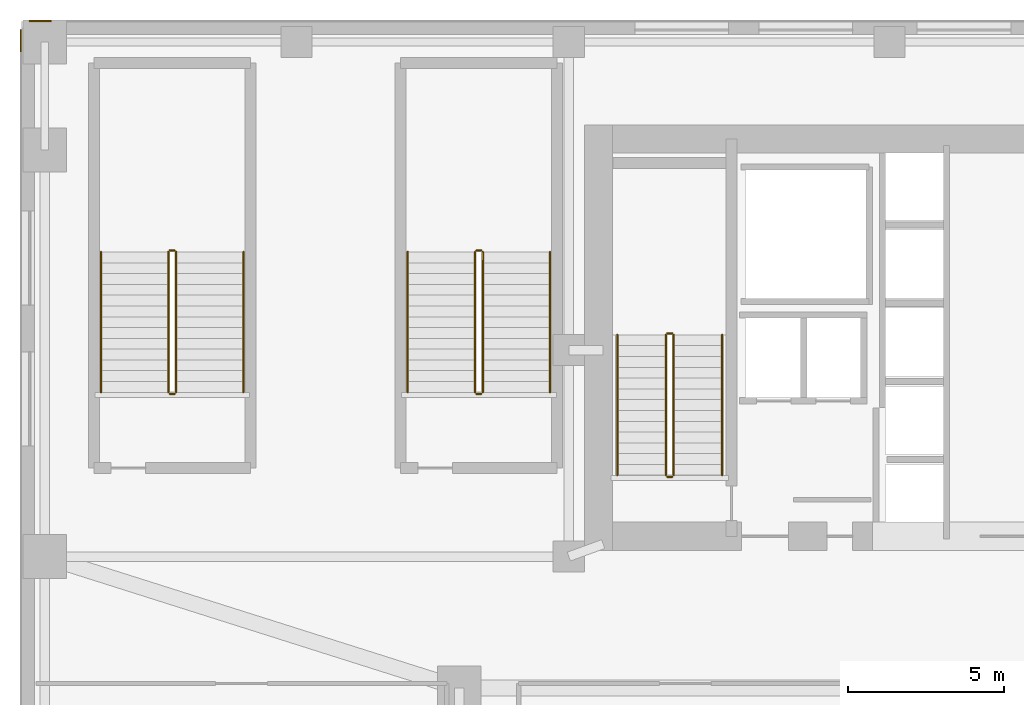
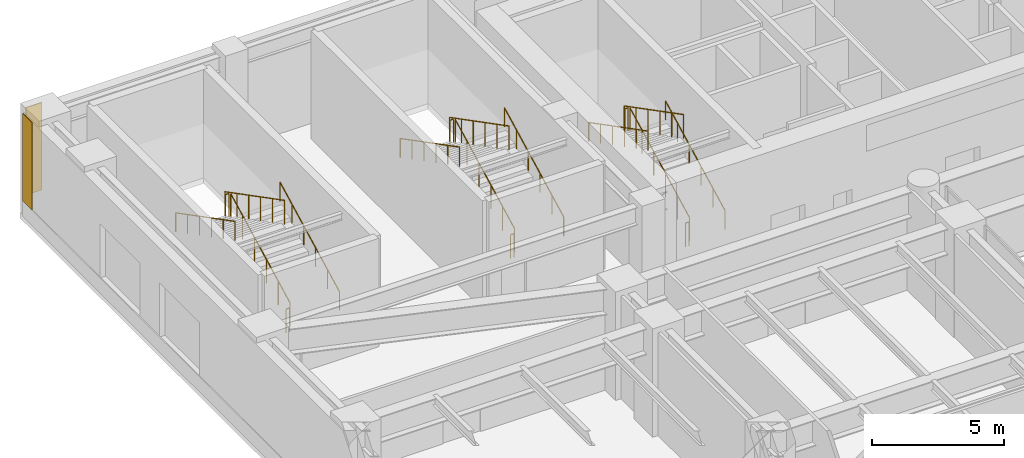
# One storey, part 36 of 39: 18 railings, 2 coverings.
"""IFC4 building model written with IfcOpenShell, lengths in metres."""

from ifc_helpers import new_model, si_unit, direction, frame, origin, origin_2d, place, context, subcontext, project, spatial, polyline, circle, outline, extrude, material, layer, layer_set, type_object, element, save


model = new_model("IFC4")

# Units and contexts
model_context = context("Model", 3, precision=1e-05, world=origin(), true_north=direction((0.0, 1.0)))
body_context = subcontext(model_context, "Body", "Model", "MODEL_VIEW")
ifc_project = project(units=[si_unit("LENGTHUNIT", "METRE"), si_unit("AREAUNIT", "SQUARE_METRE"), si_unit("VOLUMEUNIT", "CUBIC_METRE"), si_unit("PLANEANGLEUNIT", "RADIAN"), si_unit("MASSUNIT", "GRAM", prefix="KILO")], contexts=[model_context])

# Site, building, storey
site_placement = place(None, origin())
site = spatial("IfcSite", under=ifc_project, at=site_placement, CompositionType="ELEMENT")
building_placement = place(site_placement, origin())
building = spatial("IfcBuilding", under=site, at=building_placement, Name="Tolvann Quenvar Hotel", CompositionType="ELEMENT")
storey_placement = place(building_placement, frame((0.0, 0.0, 11.0)))
storey = spatial("IfcBuildingStorey", under=building, at=storey_placement, Name="L02", CompositionType="ELEMENT", Elevation=11.0)

# Coverings
ifc_material_1 = material(Name="Kiln-fired red architectural face brick cladding", Category="masonry")
ifc_layer = layer(ifc_material_1, 0.0400390625)
ifc_layer_set = layer_set([ifc_layer], Name="Kiln-fired red architectural face brick cladding")
covering_type = type_object("IfcCoveringType", Name="COV_CLAD_BRICK_40", PredefinedType="CLADDING", material=ifc_layer_set)
covering_1_placement = place(storey_placement, frame((0.0, 0.0, 0.699951171875)))
element("IfcCovering", 1, at=covering_1_placement, inside=storey, type_object=covering_type, Name="Brick Pier Cladding (L02-E06-P2)", PredefinedType="CLADDING", context=body_context, shape_type="SweptSolid", body=[
    extrude(outline(polyline([(-7.43994140625, 48.5), (-8.139892578125, 48.5), (-8.139892578125, 48.5400390625), (-7.43994140625, 48.5400390625), (-7.43994140625, 48.5)])), origin(), (0.0, 0.0, 1.0), 4.0400390625),
])
covering_2_placement = place(storey_placement, frame((0.0, 0.0, 0.699951171875)))
element("IfcCovering", 2, at=covering_2_placement, inside=storey, type_object=covering_type, Name="Brick Pier Cladding (L02-E07-P1)", PredefinedType="CLADDING", context=body_context, shape_type="SweptSolid", body=[
    extrude(outline(polyline([(-8.39990234375, 48.239990234375), (-8.39990234375, 47.5400390625), (-8.43994140625, 47.5400390625), (-8.43994140625, 48.239990234375), (-8.39990234375, 48.239990234375)])), origin(), (0.0, 0.0, 1.0), 4.0400390625),
])

# Railings
ifc_material_2 = material(Name="Brushed 316 stainless steel balustrade and handrail", Category="steel")
railing_type_1 = type_object("IfcRailingType", Name="GUARDRAIL", PredefinedType="GUARDRAIL", material=ifc_material_2)
railing_1_placement = place(storey_placement, frame((12.449951171875, 34.0, 0.178466796875)))
element("IfcRailing", 3, at=railing_1_placement, inside=storey, type_object=railing_type_1, Name="L02 ST-C1 stair guard 1", PredefinedType="GUARDRAIL", context=body_context, shape_type="SweptSolid", body=[
    extrude(circle(Radius=0.02392578125, at=origin_2d()), frame((0.0, 0.0, 1.09619140625), z_axis=(0.0, 0.888084280779, 0.459680661147), x_axis=(-1.0, 0.0, 0.0)), (0.0, 0.0, 1.0), 5.05029296875),
    extrude(circle(Radius=0.02099609375, at=origin_2d()), origin(), (0.0, 0.0, 1.0), 1.072021484375),
    extrude(circle(Radius=0.02099609375, at=origin_2d()), frame((0.0, 0.89697265625, 0.46435546875)), (0.0, 0.0, 1.0), 1.072021484375),
    extrude(circle(Radius=0.02099609375, at=origin_2d()), frame((0.0, 1.7939453125, 0.9287109375)), (0.0, 0.0, 1.0), 1.072021484375),
    extrude(circle(Radius=0.02099609375, at=origin_2d()), frame((0.0, 2.691162109375, 1.392822265625)), (0.0, 0.0, 1.0), 1.072021484375),
    extrude(circle(Radius=0.02099609375, at=origin_2d()), frame((0.0, 3.588134765625, 1.857177734375)), (0.0, 0.0, 1.0), 1.072021484375),
    extrude(circle(Radius=0.02099609375, at=origin_2d()), frame((0.0, 4.485107421875, 2.321533203125)), (0.0, 0.0, 1.0), 1.072021484375),
])
railing_2_placement = place(storey_placement, frame((12.39990234375, 38.534912109375, 2.5)))
element("IfcRailing", 4, at=railing_2_placement, inside=storey, type_object=railing_type_1, Name="L02 ST-C1 stair guard 2", PredefinedType="GUARDRAIL", context=body_context, shape_type="SweptSolid", body=[
    extrude(circle(Radius=0.02392578125, at=origin_2d()), frame((0.0, 0.0, 1.09619140625), z_axis=(-1.0, 0.0, 0.0), x_axis=(0.0, -1.0, 0.0)), (0.0, 0.0, 1.0), 0.14990234375),
    extrude(circle(Radius=0.02099609375, at=origin_2d()), origin(), (0.0, 0.0, 1.0), 1.072021484375),
    extrude(circle(Radius=0.02099609375, at=origin_2d()), frame((-0.14990234375, 0.0, 0.0)), (0.0, 0.0, 1.0), 1.072021484375),
])
railing_3_placement = place(storey_placement, frame((12.199951171875, 38.485107421875, 2.678466796875)))
element("IfcRailing", 5, at=railing_3_placement, inside=storey, type_object=railing_type_1, Name="L02 ST-C1 stair guard 3", PredefinedType="GUARDRAIL", context=body_context, shape_type="SweptSolid", body=[
    extrude(circle(Radius=0.02392578125, at=origin_2d()), frame((0.0, 0.0, 1.09619140625), z_axis=(0.0, -0.888084280779, 0.459680661147), x_axis=(1.0, 0.0, 0.0)), (0.0, 0.0, 1.0), 5.05029296875),
    extrude(circle(Radius=0.02099609375, at=origin_2d()), origin(), (0.0, 0.0, 1.0), 1.072021484375),
    extrude(circle(Radius=0.02099609375, at=origin_2d()), frame((0.0, -0.89697265625, 0.46435546875)), (0.0, 0.0, 1.0), 1.072021484375),
    extrude(circle(Radius=0.02099609375, at=origin_2d()), frame((0.0, -1.7939453125, 0.9287109375)), (0.0, 0.0, 1.0), 1.072021484375),
    extrude(circle(Radius=0.02099609375, at=origin_2d()), frame((0.0, -2.691162109375, 1.392822265625)), (0.0, 0.0, 1.0), 1.072021484375),
    extrude(circle(Radius=0.02099609375, at=origin_2d()), frame((0.0, -3.588134765625, 1.857177734375)), (0.0, 0.0, 1.0), 1.072021484375),
    extrude(circle(Radius=0.02099609375, at=origin_2d()), frame((0.0, -4.485107421875, 2.321533203125)), (0.0, 0.0, 1.0), 1.072021484375),
])
railing_4_placement = place(storey_placement, frame((12.39990234375, 33.949951171875, 0.0)))
element("IfcRailing", 6, at=railing_4_placement, inside=storey, type_object=railing_type_1, Name="L02 ST-C1 stair guard 4", PredefinedType="GUARDRAIL", context=body_context, shape_type="SweptSolid", body=[
    extrude(circle(Radius=0.02392578125, at=origin_2d()), frame((0.0, 0.0, 1.09619140625), z_axis=(-1.0, 0.0, 0.0), x_axis=(0.0, -1.0, 0.0)), (0.0, 0.0, 1.0), 0.14990234375),
    extrude(circle(Radius=0.02099609375, at=origin_2d()), origin(), (0.0, 0.0, 1.0), 1.072021484375),
    extrude(circle(Radius=0.02099609375, at=origin_2d()), frame((-0.14990234375, 0.0, 0.0)), (0.0, 0.0, 1.0), 1.072021484375),
])
railing_5_placement = place(storey_placement, frame((-3.449951171875, 36.64990234375, 0.178466796875)))
element("IfcRailing", 7, at=railing_5_placement, inside=storey, type_object=railing_type_1, Name="L02 ST-P1 stair guard 1", PredefinedType="GUARDRAIL", context=body_context, shape_type="SweptSolid", body=[
    extrude(circle(Radius=0.02392578125, at=origin_2d()), frame((0.0, 0.0, 1.09619140625), z_axis=(0.0, 0.888084280779, 0.459680661147), x_axis=(-1.0, 0.0, 0.0)), (0.0, 0.0, 1.0), 5.05029296875),
    extrude(circle(Radius=0.02099609375, at=origin_2d()), origin(), (0.0, 0.0, 1.0), 1.072021484375),
    extrude(circle(Radius=0.02099609375, at=origin_2d()), frame((0.0, 0.89697265625, 0.46435546875)), (0.0, 0.0, 1.0), 1.072021484375),
    extrude(circle(Radius=0.02099609375, at=origin_2d()), frame((0.0, 1.7939453125, 0.9287109375)), (0.0, 0.0, 1.0), 1.072021484375),
    extrude(circle(Radius=0.02099609375, at=origin_2d()), frame((0.0, 2.691162109375, 1.392822265625)), (0.0, 0.0, 1.0), 1.072021484375),
    extrude(circle(Radius=0.02099609375, at=origin_2d()), frame((0.0, 3.588134765625, 1.857177734375)), (0.0, 0.0, 1.0), 1.072021484375),
    extrude(circle(Radius=0.02099609375, at=origin_2d()), frame((0.0, 4.485107421875, 2.321533203125)), (0.0, 0.0, 1.0), 1.072021484375),
])
railing_6_placement = place(storey_placement, frame((-3.5, 41.18505859375, 2.5)))
element("IfcRailing", 8, at=railing_6_placement, inside=storey, type_object=railing_type_1, Name="L02 ST-P1 stair guard 2", PredefinedType="GUARDRAIL", context=body_context, shape_type="SweptSolid", body=[
    extrude(circle(Radius=0.02392578125, at=origin_2d()), frame((0.0, 0.0, 1.09619140625), z_axis=(-1.0, 0.0, 0.0), x_axis=(0.0, -1.0, 0.0)), (0.0, 0.0, 1.0), 0.14990234375),
    extrude(circle(Radius=0.02099609375, at=origin_2d()), origin(), (0.0, 0.0, 1.0), 1.072021484375),
    extrude(circle(Radius=0.02099609375, at=origin_2d()), frame((-0.14990234375, 0.0, 0.0)), (0.0, 0.0, 1.0), 1.072021484375),
])
railing_7_placement = place(storey_placement, frame((-3.699951171875, 41.135009765625, 2.678466796875)))
element("IfcRailing", 9, at=railing_7_placement, inside=storey, type_object=railing_type_1, Name="L02 ST-P1 stair guard 3", PredefinedType="GUARDRAIL", context=body_context, shape_type="SweptSolid", body=[
    extrude(circle(Radius=0.02392578125, at=origin_2d()), frame((0.0, 0.0, 1.09619140625), z_axis=(0.0, -0.888084280779, 0.459680661147), x_axis=(1.0, 0.0, 0.0)), (0.0, 0.0, 1.0), 5.05029296875),
    extrude(circle(Radius=0.02099609375, at=origin_2d()), origin(), (0.0, 0.0, 1.0), 1.072021484375),
    extrude(circle(Radius=0.02099609375, at=origin_2d()), frame((0.0, -0.89697265625, 0.46435546875)), (0.0, 0.0, 1.0), 1.072021484375),
    extrude(circle(Radius=0.02099609375, at=origin_2d()), frame((0.0, -1.7939453125, 0.9287109375)), (0.0, 0.0, 1.0), 1.072021484375),
    extrude(circle(Radius=0.02099609375, at=origin_2d()), frame((0.0, -2.691162109375, 1.392822265625)), (0.0, 0.0, 1.0), 1.072021484375),
    extrude(circle(Radius=0.02099609375, at=origin_2d()), frame((0.0, -3.588134765625, 1.857177734375)), (0.0, 0.0, 1.0), 1.072021484375),
    extrude(circle(Radius=0.02099609375, at=origin_2d()), frame((0.0, -4.485107421875, 2.321533203125)), (0.0, 0.0, 1.0), 1.072021484375),
])
railing_8_placement = place(storey_placement, frame((-3.5, 36.60009765625, 0.0)))
element("IfcRailing", 10, at=railing_8_placement, inside=storey, type_object=railing_type_1, Name="L02 ST-P1 stair guard 4", PredefinedType="GUARDRAIL", context=body_context, shape_type="SweptSolid", body=[
    extrude(circle(Radius=0.02392578125, at=origin_2d()), frame((0.0, 0.0, 1.09619140625), z_axis=(-1.0, 0.0, 0.0), x_axis=(0.0, -1.0, 0.0)), (0.0, 0.0, 1.0), 0.14990234375),
    extrude(circle(Radius=0.02099609375, at=origin_2d()), origin(), (0.0, 0.0, 1.0), 1.072021484375),
    extrude(circle(Radius=0.02099609375, at=origin_2d()), frame((-0.14990234375, 0.0, 0.0)), (0.0, 0.0, 1.0), 1.072021484375),
])
railing_9_placement = place(storey_placement, frame((6.35009765625, 36.64990234375, 0.178466796875)))
element("IfcRailing", 11, at=railing_9_placement, inside=storey, type_object=railing_type_1, Name="L02 ST-P2 stair guard 1", PredefinedType="GUARDRAIL", context=body_context, shape_type="SweptSolid", body=[
    extrude(circle(Radius=0.02392578125, at=origin_2d()), frame((0.0, 0.0, 1.09619140625), z_axis=(0.0, 0.888084280779, 0.459680661147), x_axis=(-1.0, 0.0, 0.0)), (0.0, 0.0, 1.0), 5.05029296875),
    extrude(circle(Radius=0.02099609375, at=origin_2d()), origin(), (0.0, 0.0, 1.0), 1.072021484375),
    extrude(circle(Radius=0.02099609375, at=origin_2d()), frame((0.0, 0.89697265625, 0.46435546875)), (0.0, 0.0, 1.0), 1.072021484375),
    extrude(circle(Radius=0.02099609375, at=origin_2d()), frame((0.0, 1.7939453125, 0.9287109375)), (0.0, 0.0, 1.0), 1.072021484375),
    extrude(circle(Radius=0.02099609375, at=origin_2d()), frame((0.0, 2.691162109375, 1.392822265625)), (0.0, 0.0, 1.0), 1.072021484375),
    extrude(circle(Radius=0.02099609375, at=origin_2d()), frame((0.0, 3.588134765625, 1.857177734375)), (0.0, 0.0, 1.0), 1.072021484375),
    extrude(circle(Radius=0.02099609375, at=origin_2d()), frame((0.0, 4.485107421875, 2.321533203125)), (0.0, 0.0, 1.0), 1.072021484375),
])
railing_10_placement = place(storey_placement, frame((6.300048828125, 41.18505859375, 2.5)))
element("IfcRailing", 12, at=railing_10_placement, inside=storey, type_object=railing_type_1, Name="L02 ST-P2 stair guard 2", PredefinedType="GUARDRAIL", context=body_context, shape_type="SweptSolid", body=[
    extrude(circle(Radius=0.02392578125, at=origin_2d()), frame((0.0, 0.0, 1.09619140625), z_axis=(-1.0, 0.0, 0.0), x_axis=(0.0, -1.0, 0.0)), (0.0, 0.0, 1.0), 0.150146484375),
    extrude(circle(Radius=0.02099609375, at=origin_2d()), origin(), (0.0, 0.0, 1.0), 1.072021484375),
    extrude(circle(Radius=0.02099609375, at=origin_2d()), frame((-0.150146484375, 0.0, 0.0)), (0.0, 0.0, 1.0), 1.072021484375),
])
railing_11_placement = place(storey_placement, frame((6.10009765625, 41.135009765625, 2.678466796875)))
element("IfcRailing", 13, at=railing_11_placement, inside=storey, type_object=railing_type_1, Name="L02 ST-P2 stair guard 3", PredefinedType="GUARDRAIL", context=body_context, shape_type="SweptSolid", body=[
    extrude(circle(Radius=0.02392578125, at=origin_2d()), frame((0.0, 0.0, 1.09619140625), z_axis=(0.0, -0.888084280779, 0.459680661147), x_axis=(1.0, 0.0, 0.0)), (0.0, 0.0, 1.0), 5.05029296875),
    extrude(circle(Radius=0.02099609375, at=origin_2d()), origin(), (0.0, 0.0, 1.0), 1.072021484375),
    extrude(circle(Radius=0.02099609375, at=origin_2d()), frame((0.0, -0.89697265625, 0.46435546875)), (0.0, 0.0, 1.0), 1.072021484375),
    extrude(circle(Radius=0.02099609375, at=origin_2d()), frame((0.0, -1.7939453125, 0.9287109375)), (0.0, 0.0, 1.0), 1.072021484375),
    extrude(circle(Radius=0.02099609375, at=origin_2d()), frame((0.0, -2.691162109375, 1.392822265625)), (0.0, 0.0, 1.0), 1.072021484375),
    extrude(circle(Radius=0.02099609375, at=origin_2d()), frame((0.0, -3.588134765625, 1.857177734375)), (0.0, 0.0, 1.0), 1.072021484375),
    extrude(circle(Radius=0.02099609375, at=origin_2d()), frame((0.0, -4.485107421875, 2.321533203125)), (0.0, 0.0, 1.0), 1.072021484375),
])
railing_12_placement = place(storey_placement, frame((6.300048828125, 36.60009765625, 0.0)))
element("IfcRailing", 14, at=railing_12_placement, inside=storey, type_object=railing_type_1, Name="L02 ST-P2 stair guard 4", PredefinedType="GUARDRAIL", context=body_context, shape_type="SweptSolid", body=[
    extrude(circle(Radius=0.02392578125, at=origin_2d()), frame((0.0, 0.0, 1.09619140625), z_axis=(-1.0, 0.0, 0.0), x_axis=(0.0, -1.0, 0.0)), (0.0, 0.0, 1.0), 0.150146484375),
    extrude(circle(Radius=0.02099609375, at=origin_2d()), origin(), (0.0, 0.0, 1.0), 1.072021484375),
    extrude(circle(Radius=0.02099609375, at=origin_2d()), frame((-0.150146484375, 0.0, 0.0)), (0.0, 0.0, 1.0), 1.072021484375),
])
railing_type_2 = type_object("IfcRailingType", Name="HANDRAIL", PredefinedType="HANDRAIL", material=ifc_material_2)
railing_13_placement = place(storey_placement, frame((14.0, 34.0, 0.178466796875)))
element("IfcRailing", 15, at=railing_13_placement, inside=storey, type_object=railing_type_2, Name="L02 ST-C1 stair handrail 1", PredefinedType="HANDRAIL", context=body_context, shape_type="SweptSolid", body=[
    extrude(circle(Radius=0.02392578125, at=origin_2d()), frame((0.0, 0.0, 0.8759765625), z_axis=(0.0, 0.888084280779, 0.459680661147), x_axis=(-1.0, 0.0, 0.0)), (0.0, 0.0, 1.0), 5.05029296875),
    extrude(circle(Radius=0.02099609375, at=origin_2d()), origin(), (0.0, 0.0, 1.0), 0.851806640625),
    extrude(circle(Radius=0.02099609375, at=origin_2d()), frame((0.0, 0.89697265625, 0.46435546875)), (0.0, 0.0, 1.0), 0.851806640625),
    extrude(circle(Radius=0.02099609375, at=origin_2d()), frame((0.0, 1.7939453125, 0.9287109375)), (0.0, 0.0, 1.0), 0.851806640625),
    extrude(circle(Radius=0.02099609375, at=origin_2d()), frame((0.0, 2.691162109375, 1.392822265625)), (0.0, 0.0, 1.0), 0.851806640625),
    extrude(circle(Radius=0.02099609375, at=origin_2d()), frame((0.0, 3.588134765625, 1.857177734375)), (0.0, 0.0, 1.0), 0.851806640625),
    extrude(circle(Radius=0.02099609375, at=origin_2d()), frame((0.0, 4.485107421875, 2.321533203125)), (0.0, 0.0, 1.0), 0.851806640625),
])
railing_14_placement = place(storey_placement, frame((10.64990234375, 38.485107421875, 2.678466796875)))
element("IfcRailing", 16, at=railing_14_placement, inside=storey, type_object=railing_type_2, Name="L02 ST-C1 stair handrail 2", PredefinedType="HANDRAIL", context=body_context, shape_type="SweptSolid", body=[
    extrude(circle(Radius=0.02392578125, at=origin_2d()), frame((0.0, 0.0, 0.8759765625), z_axis=(0.0, -0.888084280779, 0.459680661147), x_axis=(1.0, 0.0, 0.0)), (0.0, 0.0, 1.0), 5.05029296875),
    extrude(circle(Radius=0.02099609375, at=origin_2d()), origin(), (0.0, 0.0, 1.0), 0.851806640625),
    extrude(circle(Radius=0.02099609375, at=origin_2d()), frame((0.0, -0.89697265625, 0.46435546875)), (0.0, 0.0, 1.0), 0.851806640625),
    extrude(circle(Radius=0.02099609375, at=origin_2d()), frame((0.0, -1.7939453125, 0.9287109375)), (0.0, 0.0, 1.0), 0.851806640625),
    extrude(circle(Radius=0.02099609375, at=origin_2d()), frame((0.0, -2.691162109375, 1.392822265625)), (0.0, 0.0, 1.0), 0.851806640625),
    extrude(circle(Radius=0.02099609375, at=origin_2d()), frame((0.0, -3.588134765625, 1.857177734375)), (0.0, 0.0, 1.0), 0.851806640625),
    extrude(circle(Radius=0.02099609375, at=origin_2d()), frame((0.0, -4.485107421875, 2.321533203125)), (0.0, 0.0, 1.0), 0.851806640625),
])
railing_15_placement = place(storey_placement, frame((-1.300048828125, 36.64990234375, 0.178466796875)))
element("IfcRailing", 17, at=railing_15_placement, inside=storey, type_object=railing_type_2, Name="L02 ST-P1 stair handrail 1", PredefinedType="HANDRAIL", context=body_context, shape_type="SweptSolid", body=[
    extrude(circle(Radius=0.02392578125, at=origin_2d()), frame((0.0, 0.0, 0.8759765625), z_axis=(0.0, 0.888084280779, 0.459680661147), x_axis=(-1.0, 0.0, 0.0)), (0.0, 0.0, 1.0), 5.05029296875),
    extrude(circle(Radius=0.02099609375, at=origin_2d()), origin(), (0.0, 0.0, 1.0), 0.851806640625),
    extrude(circle(Radius=0.02099609375, at=origin_2d()), frame((0.0, 0.89697265625, 0.46435546875)), (0.0, 0.0, 1.0), 0.851806640625),
    extrude(circle(Radius=0.02099609375, at=origin_2d()), frame((0.0, 1.7939453125, 0.9287109375)), (0.0, 0.0, 1.0), 0.851806640625),
    extrude(circle(Radius=0.02099609375, at=origin_2d()), frame((0.0, 2.691162109375, 1.392822265625)), (0.0, 0.0, 1.0), 0.851806640625),
    extrude(circle(Radius=0.02099609375, at=origin_2d()), frame((0.0, 3.588134765625, 1.857177734375)), (0.0, 0.0, 1.0), 0.851806640625),
    extrude(circle(Radius=0.02099609375, at=origin_2d()), frame((0.0, 4.485107421875, 2.321533203125)), (0.0, 0.0, 1.0), 0.851806640625),
])
railing_16_placement = place(storey_placement, frame((-5.85009765625, 41.135009765625, 2.678466796875)))
element("IfcRailing", 18, at=railing_16_placement, inside=storey, type_object=railing_type_2, Name="L02 ST-P1 stair handrail 2", PredefinedType="HANDRAIL", context=body_context, shape_type="SweptSolid", body=[
    extrude(circle(Radius=0.02392578125, at=origin_2d()), frame((0.0, 0.0, 0.8759765625), z_axis=(0.0, -0.888084280779, 0.459680661147), x_axis=(1.0, 0.0, 0.0)), (0.0, 0.0, 1.0), 5.05029296875),
    extrude(circle(Radius=0.02099609375, at=origin_2d()), origin(), (0.0, 0.0, 1.0), 0.851806640625),
    extrude(circle(Radius=0.02099609375, at=origin_2d()), frame((0.0, -0.89697265625, 0.46435546875)), (0.0, 0.0, 1.0), 0.851806640625),
    extrude(circle(Radius=0.02099609375, at=origin_2d()), frame((0.0, -1.7939453125, 0.9287109375)), (0.0, 0.0, 1.0), 0.851806640625),
    extrude(circle(Radius=0.02099609375, at=origin_2d()), frame((0.0, -2.691162109375, 1.392822265625)), (0.0, 0.0, 1.0), 0.851806640625),
    extrude(circle(Radius=0.02099609375, at=origin_2d()), frame((0.0, -3.588134765625, 1.857177734375)), (0.0, 0.0, 1.0), 0.851806640625),
    extrude(circle(Radius=0.02099609375, at=origin_2d()), frame((0.0, -4.485107421875, 2.321533203125)), (0.0, 0.0, 1.0), 0.851806640625),
])
railing_17_placement = place(storey_placement, frame((8.5, 36.64990234375, 0.178466796875)))
element("IfcRailing", 19, at=railing_17_placement, inside=storey, type_object=railing_type_2, Name="L02 ST-P2 stair handrail 1", PredefinedType="HANDRAIL", context=body_context, shape_type="SweptSolid", body=[
    extrude(circle(Radius=0.02392578125, at=origin_2d()), frame((0.0, 0.0, 0.8759765625), z_axis=(0.0, 0.888084280779, 0.459680661147), x_axis=(-1.0, 0.0, 0.0)), (0.0, 0.0, 1.0), 5.05029296875),
    extrude(circle(Radius=0.02099609375, at=origin_2d()), origin(), (0.0, 0.0, 1.0), 0.851806640625),
    extrude(circle(Radius=0.02099609375, at=origin_2d()), frame((0.0, 0.89697265625, 0.46435546875)), (0.0, 0.0, 1.0), 0.851806640625),
    extrude(circle(Radius=0.02099609375, at=origin_2d()), frame((0.0, 1.7939453125, 0.9287109375)), (0.0, 0.0, 1.0), 0.851806640625),
    extrude(circle(Radius=0.02099609375, at=origin_2d()), frame((0.0, 2.691162109375, 1.392822265625)), (0.0, 0.0, 1.0), 0.851806640625),
    extrude(circle(Radius=0.02099609375, at=origin_2d()), frame((0.0, 3.588134765625, 1.857177734375)), (0.0, 0.0, 1.0), 0.851806640625),
    extrude(circle(Radius=0.02099609375, at=origin_2d()), frame((0.0, 4.485107421875, 2.321533203125)), (0.0, 0.0, 1.0), 0.851806640625),
])
railing_18_placement = place(storey_placement, frame((3.949951171875, 41.135009765625, 2.678466796875)))
element("IfcRailing", 20, at=railing_18_placement, inside=storey, type_object=railing_type_2, Name="L02 ST-P2 stair handrail 2", PredefinedType="HANDRAIL", context=body_context, shape_type="SweptSolid", body=[
    extrude(circle(Radius=0.02392578125, at=origin_2d()), frame((0.0, 0.0, 0.8759765625), z_axis=(0.0, -0.888084280779, 0.459680661147), x_axis=(1.0, 0.0, 0.0)), (0.0, 0.0, 1.0), 5.05029296875),
    extrude(circle(Radius=0.02099609375, at=origin_2d()), origin(), (0.0, 0.0, 1.0), 0.851806640625),
    extrude(circle(Radius=0.02099609375, at=origin_2d()), frame((0.0, -0.89697265625, 0.46435546875)), (0.0, 0.0, 1.0), 0.851806640625),
    extrude(circle(Radius=0.02099609375, at=origin_2d()), frame((0.0, -1.7939453125, 0.9287109375)), (0.0, 0.0, 1.0), 0.851806640625),
    extrude(circle(Radius=0.02099609375, at=origin_2d()), frame((0.0, -2.691162109375, 1.392822265625)), (0.0, 0.0, 1.0), 0.851806640625),
    extrude(circle(Radius=0.02099609375, at=origin_2d()), frame((0.0, -3.588134765625, 1.857177734375)), (0.0, 0.0, 1.0), 0.851806640625),
    extrude(circle(Radius=0.02099609375, at=origin_2d()), frame((0.0, -4.485107421875, 2.321533203125)), (0.0, 0.0, 1.0), 0.851806640625),
])

save(model, "model.ifc")
